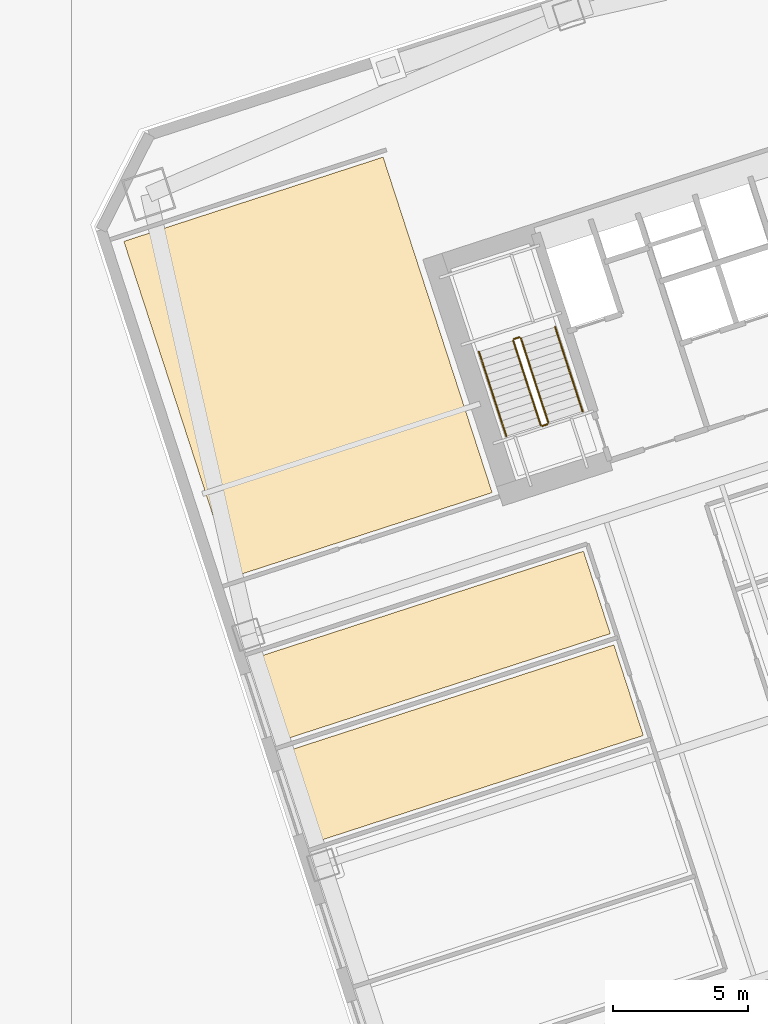
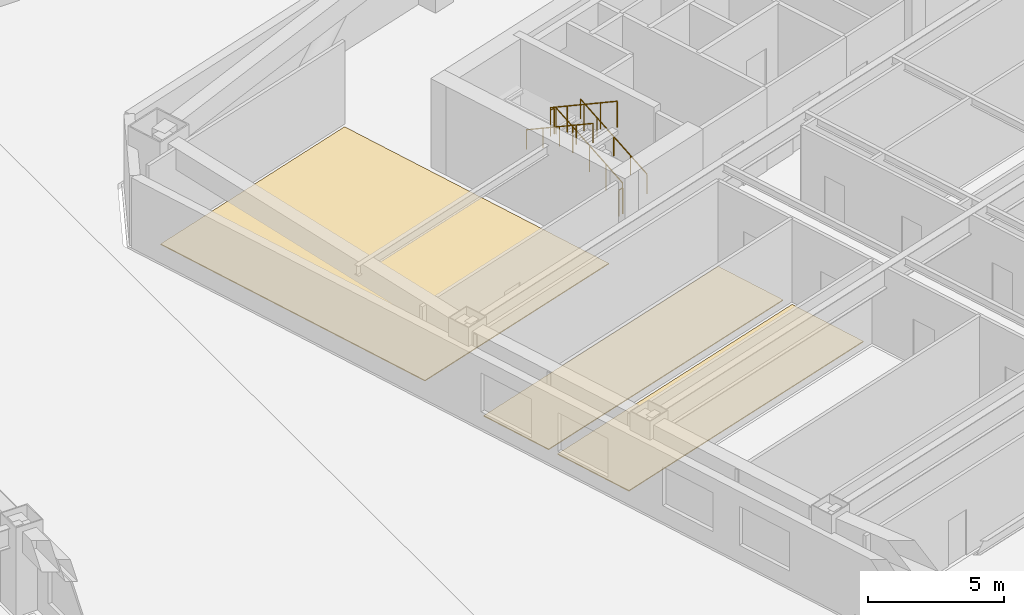
# One storey, part 19 of 20: 6 railings, 3 coverings.
"""IFC4 building model written with IfcOpenShell, lengths in metres."""

from ifc_helpers import new_model, si_unit, direction, frame, origin, origin_2d, place, context, subcontext, project, spatial, polyline, circle, outline, extrude, material, layer, layer_set, type_object, element, save


model = new_model("IFC4")

# Units and contexts
model_context = context("Model", 3, precision=1e-05, world=origin(), true_north=direction((0.0, 1.0)))
body_context = subcontext(model_context, "Body", "Model", "MODEL_VIEW")
ifc_project = project(units=[si_unit("LENGTHUNIT", "METRE"), si_unit("AREAUNIT", "SQUARE_METRE"), si_unit("VOLUMEUNIT", "CUBIC_METRE"), si_unit("PLANEANGLEUNIT", "RADIAN"), si_unit("MASSUNIT", "GRAM", prefix="KILO")], contexts=[model_context])

# Site, building, storey
site_placement = place(None, origin())
site = spatial("IfcSite", under=ifc_project, at=site_placement, CompositionType="ELEMENT")
building_placement = place(site_placement, origin())
building = spatial("IfcBuilding", under=site, at=building_placement, Name="Qiaolan Cultural Towers", CompositionType="ELEMENT")
storey_placement = place(building_placement, frame((0.0, 0.0, 26.0)))
storey = spatial("IfcBuildingStorey", under=building, at=storey_placement, Name="L05", CompositionType="ELEMENT", Elevation=26.0)

# Coverings
ifc_material_1 = material(Name="Honed Terrazzo & Raised Access Flooring", Category="concrete")
ifc_layer = layer(ifc_material_1, 0.0400390625)
ifc_layer_set = layer_set([ifc_layer], Name="Honed Terrazzo & Raised Access Flooring")
covering_type = type_object("IfcCoveringType", Name="COV-FLR-STONE", PredefinedType="FLOORING", material=ifc_layer_set)
covering_1_placement = place(storey_placement, origin())
element("IfcCovering", 1, at=covering_1_placement, inside=storey, type_object=covering_type, Name="L05 Corner Conservation Studio Finish Flooring", PredefinedType="FLOORING", context=body_context, shape_type="SweptSolid", body=[
    extrude(outline(polyline([(78.734130859375, 42.136962890625), (74.682861328125, 54.605224609375), (65.048828125, 51.474853515625), (69.099853515625, 39.006591796875), (78.734130859375, 42.136962890625)])), origin(), (0.0, 0.0, 1.0), 0.0400390625),
])
covering_2_placement = place(storey_placement, origin())
element("IfcCovering", 2, at=covering_2_placement, inside=storey, type_object=covering_type, Name="L05 Conservation Studio Finish Flooring", PredefinedType="FLOORING", context=body_context, shape_type="SweptSolid", body=[
    extrude(outline(polyline([(84.353271484375, 33.111572265625), (83.259521484375, 36.4775390625), (70.9765625, 32.486572265625), (72.0703125, 29.12060546875), (84.353271484375, 33.111572265625)])), origin(), (0.0, 0.0, 1.0), 0.0400390625),
])
covering_3_placement = place(storey_placement, origin())
element("IfcCovering", 3, at=covering_3_placement, inside=storey, type_object=covering_type, Name="L05 Gallery Exhibition Room Finish Flooring", PredefinedType="FLOORING", context=body_context, shape_type="SweptSolid", body=[
    extrude(outline(polyline([(83.12353515625, 36.89599609375), (82.128173828125, 39.959228515625), (69.845458984375, 35.96826171875), (70.840576171875, 32.905029296875), (83.12353515625, 36.89599609375)])), origin(), (0.0, 0.0, 1.0), 0.0400390625),
])

# Railings
ifc_material_2 = material(Name="Galvanized Painted Steel Stair Guardrail", Category="steel")
railing_type_1 = type_object("IfcRailingType", Name="RL-STAIR-GRD", PredefinedType="GUARDRAIL", material=ifc_material_2)
railing_1_placement = place(storey_placement, frame((80.822021484375, 44.739501953125, 0.166748046875)))
element("IfcRailing", 4, at=railing_1_placement, inside=storey, type_object=railing_type_1, Name="L05 ST-E2 stair guard 1", PredefinedType="GUARDRAIL", context=body_context, shape_type="SweptSolid", body=[
    extrude(circle(Radius=0.02392578125, at=origin_2d()), frame((0.0, 0.0, 1.17578125), z_axis=(-0.270140520196, 0.831375721119, 0.485632072336), x_axis=(-0.951053095941, -0.309027520945, 0.0)), (0.0, 0.0, 1.0), 3.77490234375),
    extrude(circle(Radius=0.02099609375, at=origin_2d()), origin(), (0.0, 0.0, 1.0), 1.15185546875),
    extrude(circle(Radius=0.02099609375, at=origin_2d()), frame((-0.2548828125, 0.78466796875, 0.458251953125)), (0.0, 0.0, 1.0), 1.15185546875),
    extrude(circle(Radius=0.02099609375, at=origin_2d()), frame((-0.509765625, 1.5693359375, 0.91650390625)), (0.0, 0.0, 1.0), 1.15185546875),
    extrude(circle(Radius=0.02099609375, at=origin_2d()), frame((-0.764892578125, 2.353759765625, 1.375)), (0.0, 0.0, 1.0), 1.15185546875),
    extrude(circle(Radius=0.02099609375, at=origin_2d()), frame((-1.019775390625, 3.138427734375, 1.833251953125)), (0.0, 0.0, 1.0), 1.15185546875),
])
railing_2_placement = place(storey_placement, frame((79.7392578125, 47.91015625, 2.0)))
element("IfcRailing", 5, at=railing_2_placement, inside=storey, type_object=railing_type_1, Name="L05 ST-E2 stair guard 2", PredefinedType="GUARDRAIL", context=body_context, shape_type="SweptSolid", body=[
    extrude(circle(Radius=0.02392578125, at=origin_2d()), frame((0.0, 0.0, 1.17578125), z_axis=(-0.951096855055, -0.308892816854, 0.0), x_axis=(0.308892816854, -0.951096855055, 0.0)), (0.0, 0.0, 1.0), 0.199951171875),
    extrude(circle(Radius=0.02099609375, at=origin_2d()), origin(), (0.0, 0.0, 1.0), 1.15185546875),
    extrude(circle(Radius=0.02099609375, at=origin_2d()), frame((-0.190185546875, -0.061767578125, 0.0)), (0.0, 0.0, 1.0), 1.15185546875),
])
railing_3_placement = place(storey_placement, frame((79.51708984375, 47.785400390625, 2.166748046875)))
element("IfcRailing", 6, at=railing_3_placement, inside=storey, type_object=railing_type_1, Name="L05 ST-E2 stair guard 3", PredefinedType="GUARDRAIL", context=body_context, shape_type="SweptSolid", body=[
    extrude(circle(Radius=0.02392578125, at=origin_2d()), frame((0.0, 0.0, 1.17578125), z_axis=(0.27012599593, -0.831395691566, 0.485605962039), x_axis=(0.951060160437, 0.309005778636, 0.0)), (0.0, 0.0, 1.0), 3.775146484375),
    extrude(circle(Radius=0.02099609375, at=origin_2d()), origin(), (0.0, 0.0, 1.0), 1.15185546875),
    extrude(circle(Radius=0.02099609375, at=origin_2d()), frame((0.2548828125, -0.78466796875, 0.458251953125)), (0.0, 0.0, 1.0), 1.15185546875),
    extrude(circle(Radius=0.02099609375, at=origin_2d()), frame((0.509765625, -1.5693359375, 0.91650390625)), (0.0, 0.0, 1.0), 1.15185546875),
    extrude(circle(Radius=0.02099609375, at=origin_2d()), frame((0.764892578125, -2.35400390625, 1.375)), (0.0, 0.0, 1.0), 1.15185546875),
    extrude(circle(Radius=0.02099609375, at=origin_2d()), frame((1.019775390625, -3.138671875, 1.833251953125)), (0.0, 0.0, 1.0), 1.15185546875),
])
railing_4_placement = place(storey_placement, frame((80.7900390625, 44.676513671875, 0.0)))
element("IfcRailing", 7, at=railing_4_placement, inside=storey, type_object=railing_type_1, Name="L05 ST-E2 stair guard 4", PredefinedType="GUARDRAIL", context=body_context, shape_type="SweptSolid", body=[
    extrude(circle(Radius=0.02392578125, at=origin_2d()), frame((0.0, 0.0, 1.17578125), z_axis=(-0.951096855055, -0.308892816854, 0.0), x_axis=(0.308892816854, -0.951096855055, 0.0)), (0.0, 0.0, 1.0), 0.199951171875),
    extrude(circle(Radius=0.02099609375, at=origin_2d()), origin(), (0.0, 0.0, 1.0), 1.15185546875),
    extrude(circle(Radius=0.02099609375, at=origin_2d()), frame((-0.190185546875, -0.061767578125, 0.0)), (0.0, 0.0, 1.0), 1.15185546875),
])
ifc_material_3 = material(Name="Stainless Steel S30408 Tubular Handrail", Category="steel")
railing_type_2 = type_object("IfcRailingType", Name="RL-STAIR-HR", PredefinedType="HANDRAIL", material=ifc_material_3)
railing_5_placement = place(storey_placement, frame((82.096435546875, 45.153564453125, 0.166748046875)))
element("IfcRailing", 8, at=railing_5_placement, inside=storey, type_object=railing_type_2, Name="L05 ST-E2 stair handrail 1", PredefinedType="HANDRAIL", context=body_context, shape_type="SweptSolid", body=[
    extrude(circle(Radius=0.02392578125, at=origin_2d()), frame((0.0, 0.0, 0.8759765625), z_axis=(-0.270140520196, 0.831375721119, 0.485632072336), x_axis=(-0.951053095941, -0.309027520945, 0.0)), (0.0, 0.0, 1.0), 3.77490234375),
    extrude(circle(Radius=0.02099609375, at=origin_2d()), origin(), (0.0, 0.0, 1.0), 0.851806640625),
    extrude(circle(Radius=0.02099609375, at=origin_2d()), frame((-0.2548828125, 0.78466796875, 0.458251953125)), (0.0, 0.0, 1.0), 0.851806640625),
    extrude(circle(Radius=0.02099609375, at=origin_2d()), frame((-0.509765625, 1.5693359375, 0.91650390625)), (0.0, 0.0, 1.0), 0.851806640625),
    extrude(circle(Radius=0.02099609375, at=origin_2d()), frame((-0.764892578125, 2.353759765625, 1.375)), (0.0, 0.0, 1.0), 0.851806640625),
    extrude(circle(Radius=0.02099609375, at=origin_2d()), frame((-1.019775390625, 3.138427734375, 1.833251953125)), (0.0, 0.0, 1.0), 0.851806640625),
])
railing_6_placement = place(storey_placement, frame((78.24267578125, 47.37109375, 2.166748046875)))
element("IfcRailing", 9, at=railing_6_placement, inside=storey, type_object=railing_type_2, Name="L05 ST-E2 stair handrail 2", PredefinedType="HANDRAIL", context=body_context, shape_type="SweptSolid", body=[
    extrude(circle(Radius=0.02392578125, at=origin_2d()), frame((0.0, 0.0, 0.8759765625), z_axis=(0.270140520196, -0.831375721119, 0.485632072336), x_axis=(0.951053095941, 0.309027520945, 0.0)), (0.0, 0.0, 1.0), 3.77490234375),
    extrude(circle(Radius=0.02099609375, at=origin_2d()), origin(), (0.0, 0.0, 1.0), 0.851806640625),
    extrude(circle(Radius=0.02099609375, at=origin_2d()), frame((0.2548828125, -0.78466796875, 0.458251953125)), (0.0, 0.0, 1.0), 0.851806640625),
    extrude(circle(Radius=0.02099609375, at=origin_2d()), frame((0.509765625, -1.5693359375, 0.91650390625)), (0.0, 0.0, 1.0), 0.851806640625),
    extrude(circle(Radius=0.02099609375, at=origin_2d()), frame((0.764892578125, -2.353759765625, 1.375)), (0.0, 0.0, 1.0), 0.851806640625),
    extrude(circle(Radius=0.02099609375, at=origin_2d()), frame((1.019775390625, -3.138427734375, 1.833251953125)), (0.0, 0.0, 1.0), 0.851806640625),
])

save(model, "model.ifc")
